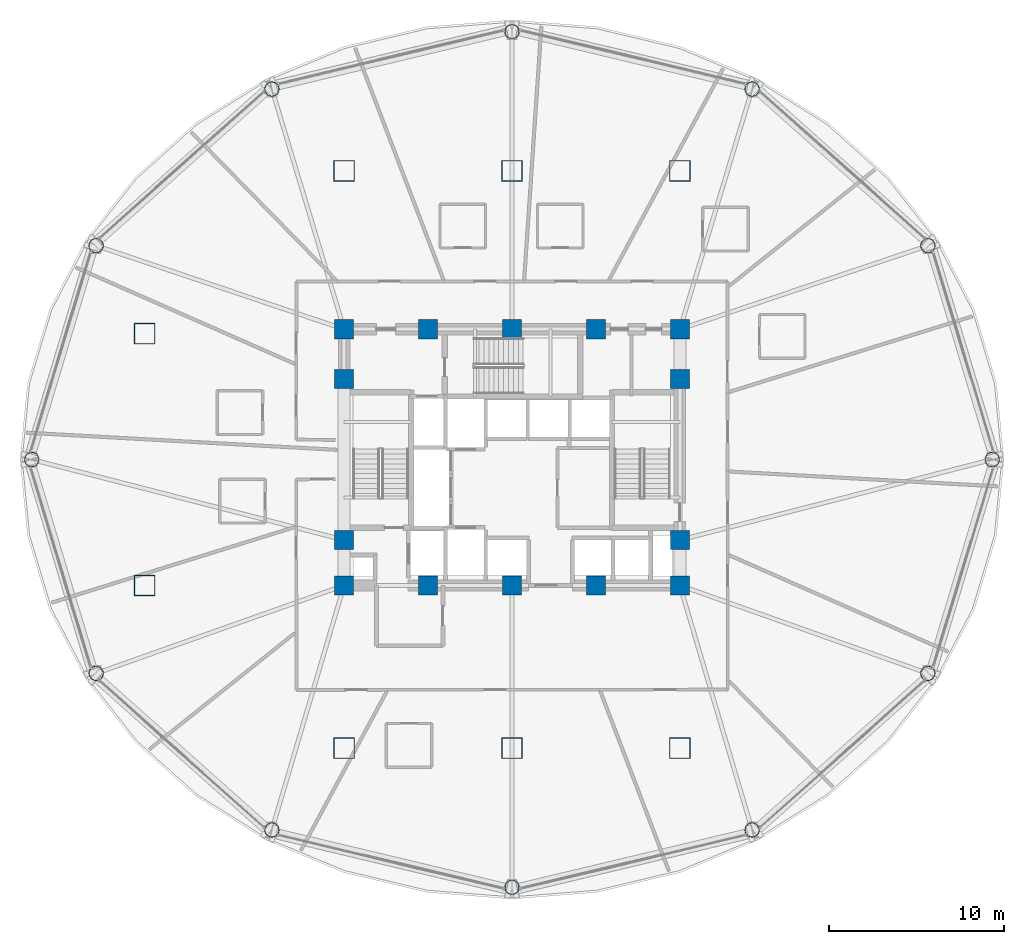
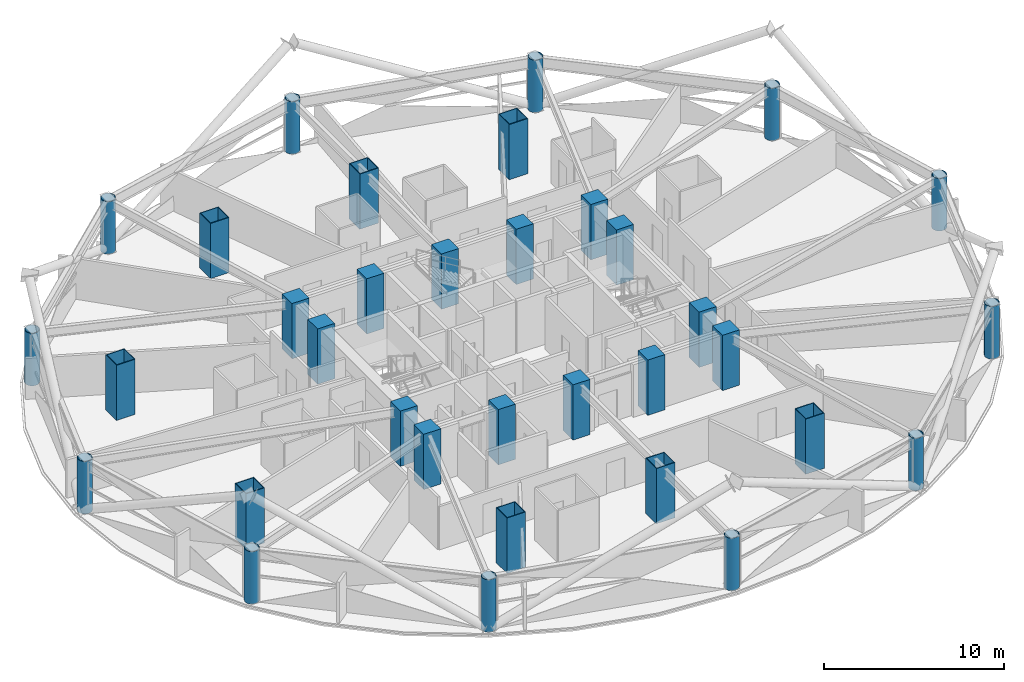
# One storey, part 1 of 30: 34 columns.
"""IFC4 building model written with IfcOpenShell, lengths in metres."""

from ifc_helpers import new_model, si_unit, direction, frame, origin, origin_2d, place, context, subcontext, project, spatial, rectangle, hollow_rectangle, hollow_circle, extrude, material, material_profile, profile_set, type_object, element, save


model = new_model("IFC4")

# Units and contexts
model_context = context("Model", 3, precision=1e-05, world=origin(), true_north=direction((0.0, 1.0)))
body_context = subcontext(model_context, "Body", "Model", "MODEL_VIEW")
ifc_project = project(units=[si_unit("LENGTHUNIT", "METRE"), si_unit("AREAUNIT", "SQUARE_METRE"), si_unit("VOLUMEUNIT", "CUBIC_METRE"), si_unit("PLANEANGLEUNIT", "RADIAN"), si_unit("MASSUNIT", "GRAM", prefix="KILO")], contexts=[model_context])

# Site, building, storey
site_placement = place(None, origin())
site = spatial("IfcSite", under=ifc_project, at=site_placement, CompositionType="ELEMENT")
building_placement = place(site_placement, origin())
building = spatial("IfcBuilding", under=site, at=building_placement, Name="Vantalir Tower", CompositionType="ELEMENT")
storey_placement = place(building_placement, frame((0.0, 0.0, 57.0)))
storey = spatial("IfcBuildingStorey", under=building, at=storey_placement, Name="L13", CompositionType="ELEMENT", Elevation=57.0)

# Columns
ifc_material_1 = material(Name="Concrete C60/75", Category="concrete")
ifc_material_profile_1 = material_profile(ifc_material_1, rectangle(XDim=1.10009765625, YDim=1.10009765625, at=origin_2d()), Name="Concrete C60/75")
ifc_profile_set_1 = profile_set([ifc_material_profile_1], Name="Concrete C60/75")
column_type_1 = type_object("IfcColumnType", Name="COL-CC-1100", PredefinedType="COLUMN", material=ifc_profile_set_1)
for number, where, z_axis, x_axis, name in (
    (1, (21.89990234375, 17.800048828125, 0.0), (0.0, 0.0, 1.0), (1.0, 0.0, 0.0), "L13 Core Column CC01"),
    (2, (26.699951171875, 17.800048828125, 0.0), (0.0, 0.0, 1.0), (1.0, 0.0, 0.0), "L13 Core Column CC02"),
    (3, (31.5, 17.800048828125, 0.0), (0.0, 0.0, 1.0), (1.0, 0.0, 0.0), "L13 Core Column CC03"),
    (4, (36.300048828125, 17.800048828125, 0.0), (0.0, 0.0, 1.0), (1.0, 0.0, 0.0), "L13 Core Column CC04"),
    (5, (41.10009765625, 17.800048828125, 0.0), (0.0, 0.0, 1.0), (1.0, 0.0, 0.0), "L13 Core Column CC05"),
    (6, (21.89990234375, 20.39990234375, 0.0), (0.0, 0.0, 1.0), (1.0, 0.0, 0.0), "L13 Core Column CC06"),
    (7, (21.89990234375, 29.60009765625, 0.0), (0.0, 0.0, 1.0), (1.0, 0.0, 0.0), "L13 Core Column CC07"),
    (8, (41.10009765625, 20.39990234375, 0.0), (0.0, 0.0, 1.0), (1.0, 0.0, 0.0), "L13 Core Column CC08"),
    (9, (41.10009765625, 29.60009765625, 0.0), (0.0, 0.0, 1.0), (1.0, 0.0, 0.0), "L13 Core Column CC09"),
    (10, (21.89990234375, 32.449951171875, 0.0), (0.0, 0.0, 1.0), (1.0, 0.0, 0.0), "L13 Core Column CC10"),
    (11, (26.699951171875, 32.449951171875, 0.0), (0.0, 0.0, 1.0), (1.0, 0.0, 0.0), "L13 Core Column CC11"),
    (12, (31.5, 32.449951171875, 0.0), (0.0, 0.0, 1.0), (1.0, 0.0, 0.0), "L13 Core Column CC12"),
    (13, (36.300048828125, 32.449951171875, 0.0), (0.0, 0.0, 1.0), (1.0, 0.0, 0.0), "L13 Core Column CC13"),
    (14, (41.10009765625, 32.449951171875, 0.0), (0.0, 0.0, 1.0), (1.0, 0.0, 0.0), "L13 Core Column CC14"),
):
    element("IfcColumn", number, at=place(storey_placement, frame(where, z_axis=z_axis, x_axis=x_axis)), inside=storey, type_object=column_type_1, Name=name, PredefinedType="COLUMN", context=body_context, shape_type="SweptSolid", body=[
        extrude(rectangle(XDim=1.10009765625, YDim=1.10009765625, at=origin_2d()), origin(), (0.0, 0.0, 1.0), 3.75),
    ])
ifc_material_2 = material(Name="Steel S460", Category="steel")
ifc_material_profile_2 = material_profile(ifc_material_2, hollow_rectangle(XDim=1.199951171875, YDim=1.199951171875, WallThickness=0.044921875, at=origin_2d()), Name="Steel S460")
ifc_profile_set_2 = profile_set([ifc_material_profile_2], Name="Steel S460")
column_type_2 = type_object("IfcColumnType", Name="COL-MC-1200", PredefinedType="COLUMN", material=ifc_profile_set_2)
for number, where, z_axis, x_axis, name in (
    (15, (21.89990234375, 8.5, 0.0), (0.0, 0.0, 1.0), (1.0, 0.0, 0.0), "L13 S460 Mega-Column MC01"),
    (16, (31.5, 8.5, 0.0), (0.0, 0.0, 1.0), (1.0, 0.0, 0.0), "L13 S460 Mega-Column MC02"),
    (17, (41.10009765625, 8.5, 0.0), (0.0, 0.0, 1.0), (1.0, 0.0, 0.0), "L13 S460 Mega-Column MC03"),
    (18, (10.5, 17.800048828125, 0.0), (0.0, 0.0, 1.0), (1.0, 0.0, 0.0), "L13 S460 Mega-Column MC04"),
    (19, (10.5, 32.199951171875, 0.0), (0.0, 0.0, 1.0), (1.0, 0.0, 0.0), "L13 S460 Mega-Column MC05"),
    (20, (21.89990234375, 41.5, 0.0), (0.0, 0.0, 1.0), (1.0, 0.0, 0.0), "L13 S460 Mega-Column MC06"),
    (21, (31.5, 41.5, 0.0), (0.0, 0.0, 1.0), (1.0, 0.0, 0.0), "L13 S460 Mega-Column MC07"),
    (22, (41.10009765625, 41.5, 0.0), (0.0, 0.0, 1.0), (1.0, 0.0, 0.0), "L13 S460 Mega-Column MC08"),
):
    element("IfcColumn", number, at=place(storey_placement, frame(where, z_axis=z_axis, x_axis=x_axis)), inside=storey, type_object=column_type_2, Name=name, PredefinedType="COLUMN", context=body_context, shape_type="SweptSolid", body=[
        extrude(hollow_rectangle(XDim=1.199951171875, YDim=1.199951171875, WallThickness=0.044921875, at=origin_2d()), origin(), (0.0, 0.0, 1.0), 3.75),
    ])
ifc_material_profile_3 = material_profile(ifc_material_2, hollow_circle(Radius=0.425048828125, WallThickness=0.0400390625, at=origin_2d()), Name="Steel S460")
ifc_profile_set_3 = profile_set([ifc_material_profile_3], Name="Steel S460")
column_type_3 = type_object("IfcColumnType", Name="COL-RC-850", PredefinedType="COLUMN", material=ifc_profile_set_3)
for number, where, z_axis, x_axis, name in (
    (23, (58.950927734375, 25.0, 0.0), (0.0, 0.0, 1.0), (1.0, 0.0, 0.0), "L13 Perimeter Ring Column RC01"),
    (24, (55.27294921875, 37.22509765625, 0.0), (0.0, 0.0, 1.0), (1.0, 0.0, 0.0), "L13 Perimeter Ring Column RC02"),
    (25, (45.22607421875, 46.175048828125, 0.0), (0.0, 0.0, 1.0), (1.0, 0.0, 0.0), "L13 Perimeter Ring Column RC03"),
    (26, (31.5, 49.450927734375, 0.0), (0.0, 0.0, 1.0), (1.0, 0.0, 0.0), "L13 Perimeter Ring Column RC04"),
    (27, (17.77490234375, 46.175048828125, 0.0), (0.0, 0.0, 1.0), (1.0, 0.0, 0.0), "L13 Perimeter Ring Column RC05"),
    (28, (7.72705078125, 37.22509765625, 0.0), (0.0, 0.0, 1.0), (1.0, 0.0, 0.0), "L13 Perimeter Ring Column RC06"),
    (29, (4.049072265625, 25.0, 0.0), (0.0, 0.0, 1.0), (1.0, 0.0, 0.0), "L13 Perimeter Ring Column RC07"),
    (30, (7.72705078125, 12.77392578125, 0.0), (0.0, 0.0, 1.0), (1.0, 0.0, 0.0), "L13 Perimeter Ring Column RC08"),
    (31, (17.77392578125, 3.824951171875, 0.0), (0.0, 0.0, 1.0), (1.0, 0.0, 0.0), "L13 Perimeter Ring Column RC09"),
    (32, (31.5, 0.549072265625, 0.0), (0.0, 0.0, 1.0), (1.0, 0.0, 0.0), "L13 Perimeter Ring Column RC10"),
    (33, (45.22607421875, 3.824951171875, 0.0), (0.0, 0.0, 1.0), (1.0, 0.0, 0.0), "L13 Perimeter Ring Column RC11"),
    (34, (55.27294921875, 12.77392578125, 0.0), (0.0, 0.0, 1.0), (1.0, 0.0, 0.0), "L13 Perimeter Ring Column RC12"),
):
    element("IfcColumn", number, at=place(storey_placement, frame(where, z_axis=z_axis, x_axis=x_axis)), inside=storey, type_object=column_type_3, Name=name, PredefinedType="COLUMN", context=body_context, shape_type="SweptSolid", body=[
        extrude(hollow_circle(Radius=0.425048828125, WallThickness=0.0400390625, at=origin_2d()), origin(), (0.0, 0.0, 1.0), 3.570068359375),
    ])

save(model, "model.ifc")
